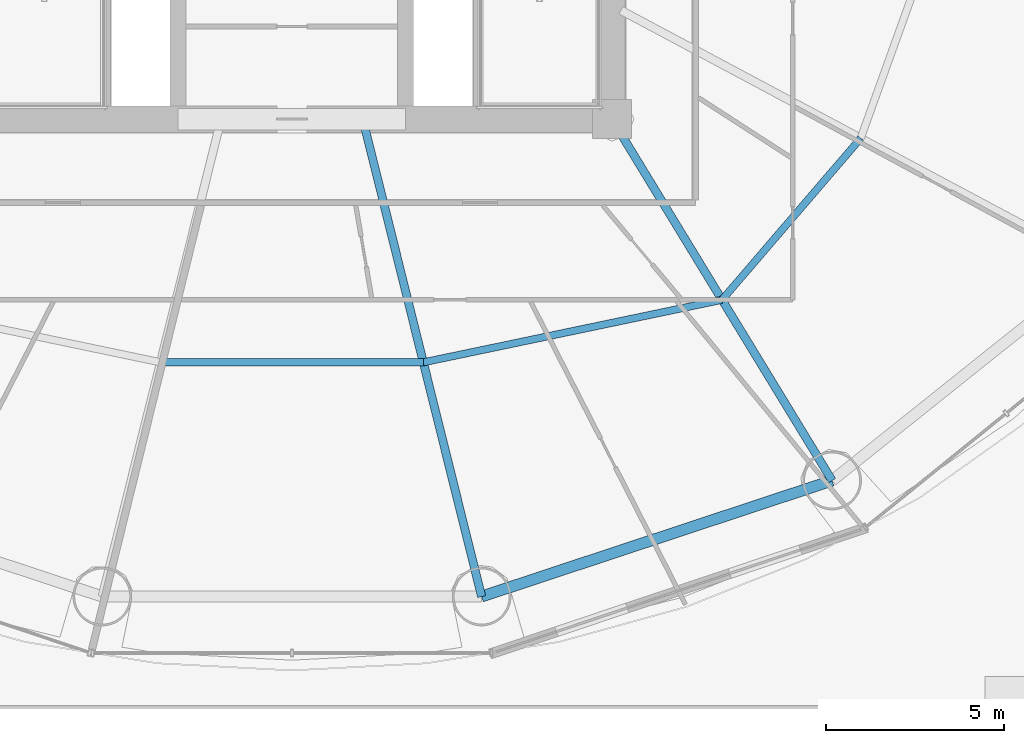
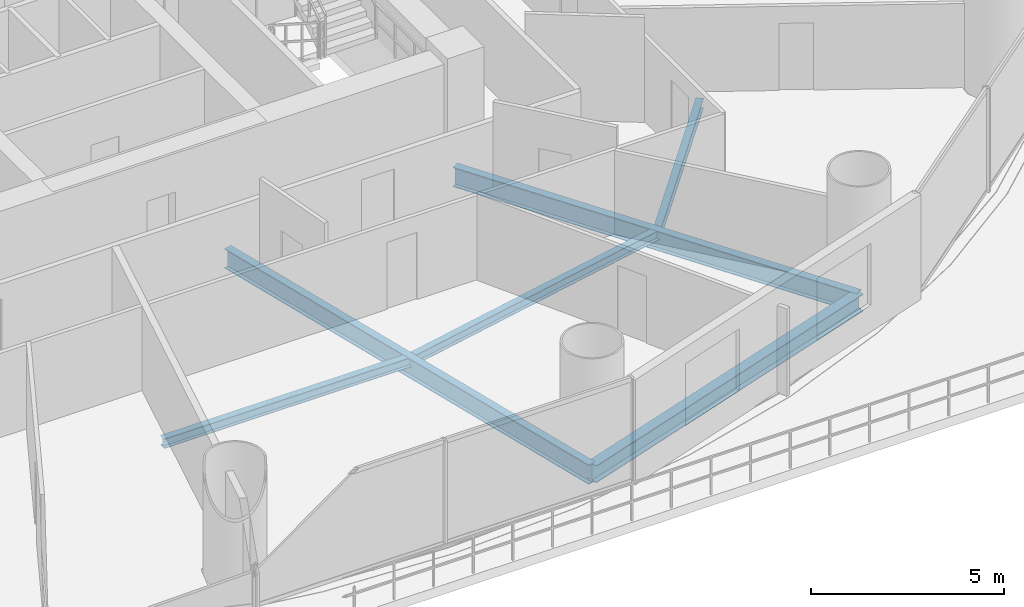
# One storey, part 12 of 37: 6 beams.
"""IFC4 building model written with IfcOpenShell, lengths in metres."""

from ifc_helpers import new_model, si_unit, direction, frame, origin, origin_2d, place, context, subcontext, project, spatial, i_section, extrude, material, material_profile, profile_set, type_object, element, save


model = new_model("IFC4")

# Units and contexts
model_context = context("Model", 3, precision=1e-05, world=origin(), true_north=direction((-0.2419218956, 0.970295726276)))
body_context = subcontext(model_context, "Body", "Model", "MODEL_VIEW")
ifc_project = project(units=[si_unit("LENGTHUNIT", "METRE"), si_unit("AREAUNIT", "SQUARE_METRE"), si_unit("VOLUMEUNIT", "CUBIC_METRE"), si_unit("PLANEANGLEUNIT", "RADIAN"), si_unit("MASSUNIT", "GRAM", prefix="KILO")], contexts=[model_context])

# Site, building, storey
site_placement = place(None, origin())
site = spatial("IfcSite", under=ifc_project, at=site_placement, CompositionType="ELEMENT")
building_placement = place(site_placement, origin())
building = spatial("IfcBuilding", under=site, at=building_placement, Name="Cobrevalo Terracotta Tower", CompositionType="ELEMENT")
storey_placement = place(building_placement, frame((0.0, 0.0, 24.0)))
storey = spatial("IfcBuildingStorey", under=building, at=storey_placement, Name="L05", CompositionType="ELEMENT", Elevation=24.0)

# Beams
ifc_material = material(Name="Steel S355", Category="steel")
ifc_material_profile_1 = material_profile(ifc_material, i_section(OverallWidth=0.22998046875, OverallDepth=0.616943359375, WebThickness=0.01318359375, FlangeThickness=0.022216796875, at=origin_2d()), Name="W 610x140")
ifc_profile_set_1 = profile_set([ifc_material_profile_1], Name="Steel S355")
beam_type_1 = type_object("IfcBeamType", Name="Structural Beam W 610x140 (Steel S355)", PredefinedType="BEAM", material=ifc_profile_set_1)
beam_1_placement = place(storey_placement, frame((43.335693359375, 5.369873046875, -0.58837890625), z_axis=(-0.241600470374, 0.970375810042, 0.0), x_axis=(-0.970375810042, -0.241600470374, 0.0)))
element("IfcBeam", 1, at=beam_1_placement, inside=storey, type_object=beam_type_1, Name="L05 radial floor girder 13", PredefinedType="BEAM", context=body_context, shape_type="SweptSolid", body=[
    extrude(i_section(OverallWidth=0.22998046875, OverallDepth=0.616943359375, WebThickness=0.01318359375, FlangeThickness=0.022216796875, at=origin_2d()), origin(), (0.0, 0.0, 1.0), 13.5771484375),
])
beam_2_placement = place(storey_placement, frame((53.19482421875, 8.63232421875, -0.58837890625), z_axis=(-0.520300780853, 0.853983077961, 0.0), x_axis=(-0.853983077961, -0.520300780853, 0.0)))
element("IfcBeam", 2, at=beam_2_placement, inside=storey, type_object=beam_type_1, Name="L05 radial floor girder 14", PredefinedType="BEAM", context=body_context, shape_type="SweptSolid", body=[
    extrude(i_section(OverallWidth=0.22998046875, OverallDepth=0.616943359375, WebThickness=0.01318359375, FlangeThickness=0.022216796875, at=origin_2d()), origin(), (0.0, 0.0, 1.0), 11.90625),
])
ifc_material_profile_2 = material_profile(ifc_material, i_section(OverallWidth=0.2041015625, OverallDepth=0.305908203125, WebThickness=0.008544921875, FlangeThickness=0.0146484375, at=origin_2d()), Name="W 310x67")
ifc_profile_set_2 = profile_set([ifc_material_profile_2], Name="Steel S355")
beam_type_2 = type_object("IfcBeamType", Name="Structural Joist W 310x67 (Steel S355)", PredefinedType="JOIST", material=ifc_profile_set_2)
beam_3_placement = place(storey_placement, frame((34.304443359375, 11.95751953125, -0.43310546875), z_axis=(1.0, 0.0, 0.0), x_axis=(0.0, 1.0, 0.0)))
element("IfcBeam", 3, at=beam_3_placement, inside=storey, type_object=beam_type_2, Name="L05 circumferential secondary floor joist 12", PredefinedType="JOIST", context=body_context, shape_type="SweptSolid", body=[
    extrude(i_section(OverallWidth=0.2041015625, OverallDepth=0.305908203125, WebThickness=0.008544921875, FlangeThickness=0.0146484375, at=origin_2d()), origin(), (0.0, 0.0, 1.0), 7.39111328125),
])
beam_4_placement = place(storey_placement, frame((41.695556640625, 11.95751953125, -0.43310546875), z_axis=(0.978784523904, 0.204892302848, 0.0), x_axis=(-0.204892302848, 0.978784523904, 0.0)))
element("IfcBeam", 4, at=beam_4_placement, inside=storey, type_object=beam_type_2, Name="L05 circumferential secondary floor joist 13", PredefinedType="JOIST", context=body_context, shape_type="SweptSolid", body=[
    extrude(i_section(OverallWidth=0.2041015625, OverallDepth=0.305908203125, WebThickness=0.008544921875, FlangeThickness=0.0146484375, at=origin_2d()), origin(), (0.0, 0.0, 1.0), 8.583984375),
])
beam_5_placement = place(storey_placement, frame((50.097412109375, 13.71630859375, -0.43310546875), z_axis=(0.651328404454, 0.758795960421, 0.0), x_axis=(-0.758795960421, 0.651328404454, 0.0)))
element("IfcBeam", 5, at=beam_5_placement, inside=storey, type_object=beam_type_2, Name="L05 circumferential secondary floor joist 14", PredefinedType="JOIST", context=body_context, shape_type="SweptSolid", body=[
    extrude(i_section(OverallWidth=0.2041015625, OverallDepth=0.305908203125, WebThickness=0.008544921875, FlangeThickness=0.0146484375, at=origin_2d()), origin(), (0.0, 0.0, 1.0), 5.98828125),
])
ifc_material_profile_3 = material_profile(ifc_material, i_section(OverallWidth=0.31201171875, OverallDepth=0.54296875, WebThickness=0.0126953125, FlangeThickness=0.020263671875, at=origin_2d()), Name="W 530x150")
ifc_profile_set_3 = profile_set([ifc_material_profile_3], Name="Steel S355")
beam_type_3 = type_object("IfcBeamType", Name="Structural Spandrel W 530x150 (Steel S355)", PredefinedType="SPANDREL", material=ifc_profile_set_3)
beam_6_placement = place(storey_placement, frame((43.335693359375, 5.369873046875, -0.551513671875), z_axis=(0.949372202648, 0.314153498848, 0.0), x_axis=(-0.314153498848, 0.949372202648, 0.0)))
element("IfcBeam", 6, at=beam_6_placement, inside=storey, type_object=beam_type_3, Name="L05 perimeter ring spandrel 13", PredefinedType="SPANDREL", context=body_context, shape_type="SweptSolid", body=[
    extrude(i_section(OverallWidth=0.31201171875, OverallDepth=0.54296875, WebThickness=0.0126953125, FlangeThickness=0.020263671875, at=origin_2d()), origin(), (0.0, 0.0, 1.0), 10.385009765625),
])

save(model, "model.ifc")
